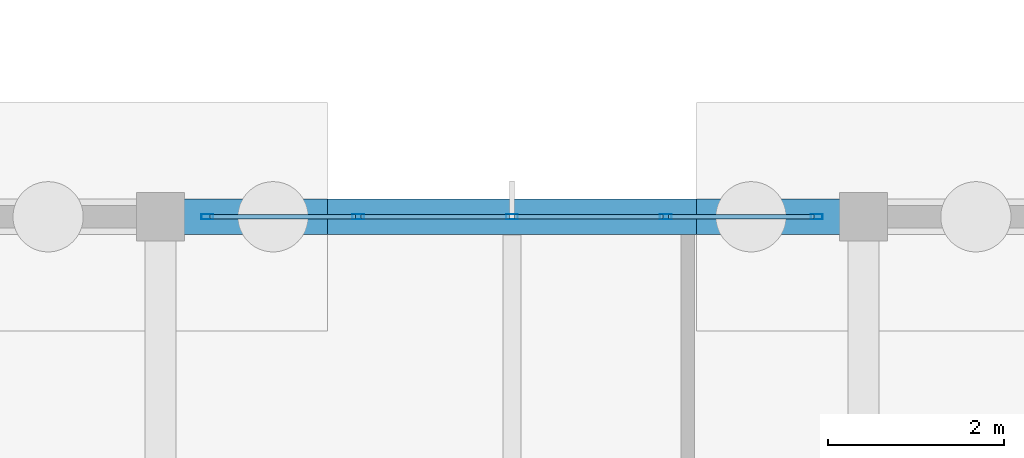
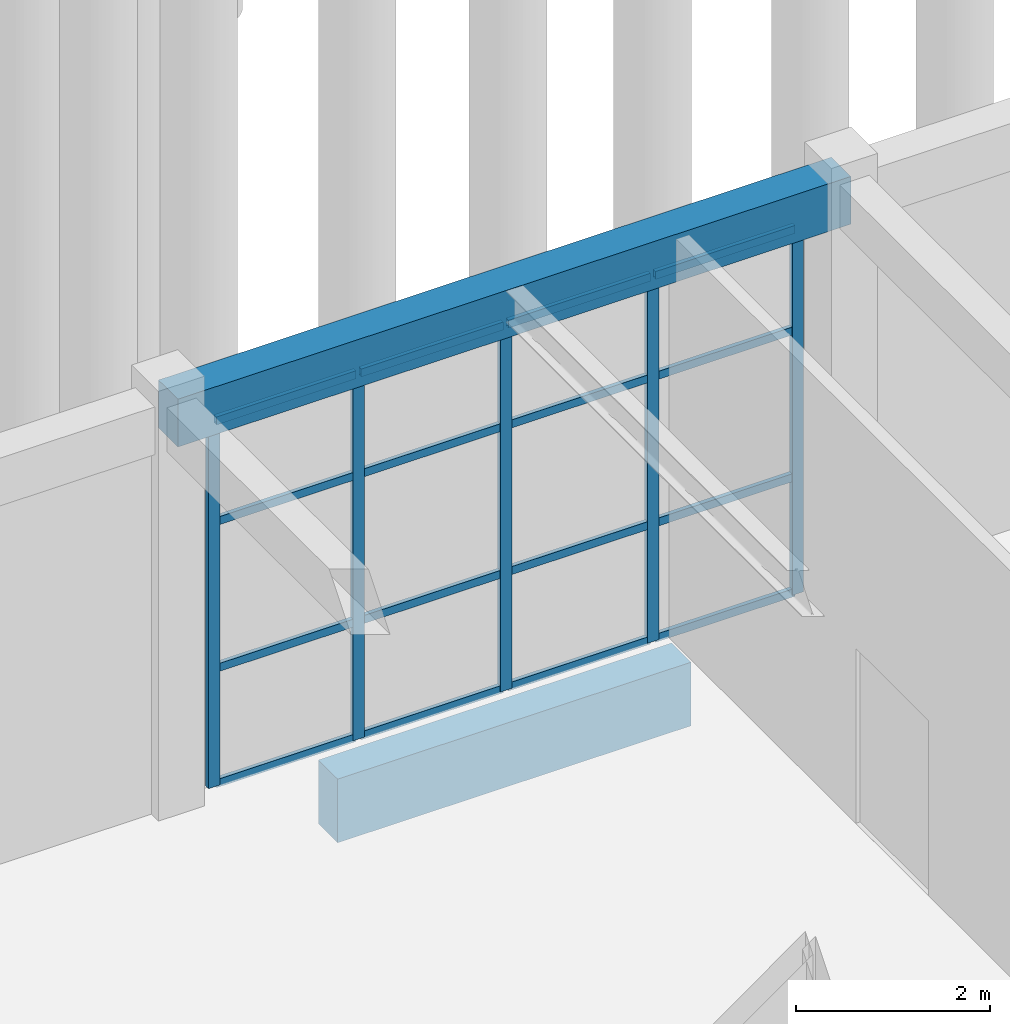
# One storey, part 23 of 90: 21 members, 2 beams, 1 element without a shape of its own.
"""IFC4 building model written with IfcOpenShell, lengths in metres."""

from ifc_helpers import new_model, si_unit, direction, frame, origin, origin_2d, place, context, subcontext, project, spatial, rectangle, hollow_rectangle, extrude, material, layer, layer_set, material_profile, profile_set, type_object, element, aggregate, save


model = new_model("IFC4")

# Units and contexts
model_context = context("Model", 3, precision=1e-05, world=origin(), true_north=direction((0.0, 1.0)))
body_context = subcontext(model_context, "Body", "Model", "MODEL_VIEW")
ifc_project = project(units=[si_unit("LENGTHUNIT", "METRE"), si_unit("AREAUNIT", "SQUARE_METRE"), si_unit("VOLUMEUNIT", "CUBIC_METRE"), si_unit("PLANEANGLEUNIT", "RADIAN"), si_unit("MASSUNIT", "GRAM", prefix="KILO")], contexts=[model_context])

# Site, building, storey
site_placement = place(None, origin())
site = spatial("IfcSite", under=ifc_project, at=site_placement, CompositionType="ELEMENT")
building_placement = place(site_placement, origin())
building = spatial("IfcBuilding", under=site, at=building_placement, Name="Canggui Botanical Conservatory", CompositionType="ELEMENT")
storey_placement = place(building_placement, origin())
storey = spatial("IfcBuildingStorey", under=building, at=storey_placement, Name="L01", CompositionType="ELEMENT", Elevation=0.0)

# Beams
ifc_material_1 = material(Name="Concrete C35", Category="concrete")
ifc_material_profile_1 = material_profile(ifc_material_1, rectangle(XDim=0.39990234375, YDim=0.800048828125, at=origin_2d()), Name="RB 400x800")
ifc_profile_set_1 = profile_set([ifc_material_profile_1], Name="Concrete C35")
beam_type_1 = type_object("IfcBeamType", Name="BM-JCL01", PredefinedType="USERDEFINED", material=ifc_profile_set_1)
beam_1_placement = place(storey_placement, frame((51.89990234375, 34.0, -0.679931640625), z_axis=(1.0, 0.0, 0.0), x_axis=(0.0, 1.0, 0.0)))
element("IfcBeam", 1, at=beam_1_placement, inside=storey, type_object=beam_type_1, Name="Foundation Grade Tie Beam JCL-025", ObjectType="GRADE BEAM", PredefinedType="USERDEFINED", context=body_context, shape_type="SweptSolid", body=[
    extrude(rectangle(XDim=0.39990234375, YDim=0.800048828125, at=origin_2d()), origin(), (0.0, 0.0, 1.0), 4.2001953125),
])
ifc_material_profile_2 = material_profile(ifc_material_1, rectangle(XDim=0.39990234375, YDim=0.60009765625, at=origin_2d()), Name="RB 400x600")
ifc_profile_set_2 = profile_set([ifc_material_profile_2], Name="Concrete C35")
beam_type_2 = type_object("IfcBeamType", Name="BM-KL13", PredefinedType="BEAM", material=ifc_profile_set_2)
beam_2_placement = place(storey_placement, frame((50.0, 34.0, 4.860107421875), z_axis=(1.0, 0.0, 0.0), x_axis=(0.0, 1.0, 0.0)))
element("IfcBeam", 2, at=beam_2_placement, inside=storey, type_object=beam_type_2, Name="Visitor Girder L01 Y34-5", PredefinedType="BEAM", context=body_context, shape_type="SweptSolid", body=[
    extrude(rectangle(XDim=0.39990234375, YDim=0.60009765625, at=origin_2d()), origin(), (0.0, 0.0, 1.0), 8.0),
])

# Curtain wall, members
ifc_material_2 = material(Name="Thermally Broken Aluminium", Category="aluminium")
ifc_layer = layer(ifc_material_2, 0.135009765625, Name="Thermally Broken Aluminium", Category="aluminium")
ifc_layer_set = layer_set([ifc_layer], Name="Thermally Broken Aluminium")
curtain_wall_type = type_object("IfcCurtainWallType", Name="CW-STICK-A", PredefinedType="USERDEFINED", material=ifc_layer_set)
curtain_wall_placement = place(storey_placement, origin())
curtain_wall = element("IfcCurtainWall", 3, at=curtain_wall_placement, inside=storey, type_object=curtain_wall_type, Name="Facade Curtain Wall CW-VIS-L01-16", ObjectType="STICK GLAZED WALL", PredefinedType="USERDEFINED")
ifc_material_profile_3 = material_profile(ifc_material_2, hollow_rectangle(XDim=0.06005859375, YDim=0.135009765625, WallThickness=0.00341796875, at=origin_2d()), Name="CWM 60x135x3.5")
ifc_profile_set_3 = profile_set([ifc_material_profile_3], Name="Thermally Broken Aluminium")
member_type_1 = type_object("IfcMemberType", Name="CWM-04", PredefinedType="MULLION", material=ifc_profile_set_3)
member_1_placement = place(storey_placement, frame((50.530029296875, 34.0, 0.0), z_axis=(0.0, 0.0, 1.0), x_axis=(0.0, 1.0, 0.0)))
member_1 = element("IfcMember", 4, at=member_1_placement, type_object=member_type_1, Name="CW-04 mullion 1", PredefinedType="MULLION", context=body_context, shape_type="SweptSolid", body=[
    extrude(hollow_rectangle(XDim=0.06005859375, YDim=0.135009765625, WallThickness=0.00341796875, at=origin_2d()), origin(), (0.0, 0.0, 1.0), 4.610107421875),
])
member_2_placement = place(storey_placement, frame((52.25, 34.0, 0.0), z_axis=(0.0, 0.0, 1.0), x_axis=(0.0, 1.0, 0.0)))
member_2 = element("IfcMember", 5, at=member_2_placement, type_object=member_type_1, Name="CW-04 mullion 2", PredefinedType="MULLION", context=body_context, shape_type="SweptSolid", body=[
    extrude(hollow_rectangle(XDim=0.06005859375, YDim=0.135009765625, WallThickness=0.00341796875, at=origin_2d()), origin(), (0.0, 0.0, 1.0), 4.610107421875),
])
member_3_placement = place(storey_placement, frame((54.0, 34.0, 0.0), z_axis=(0.0, 0.0, 1.0), x_axis=(0.0, 1.0, 0.0)))
member_3 = element("IfcMember", 6, at=member_3_placement, type_object=member_type_1, Name="CW-04 mullion 3", PredefinedType="MULLION", context=body_context, shape_type="SweptSolid", body=[
    extrude(hollow_rectangle(XDim=0.06005859375, YDim=0.135009765625, WallThickness=0.00341796875, at=origin_2d()), origin(), (0.0, 0.0, 1.0), 4.610107421875),
])
member_4_placement = place(storey_placement, frame((55.75, 34.0, 0.0), z_axis=(0.0, 0.0, 1.0), x_axis=(0.0, 1.0, 0.0)))
member_4 = element("IfcMember", 7, at=member_4_placement, type_object=member_type_1, Name="CW-04 mullion 4", PredefinedType="MULLION", context=body_context, shape_type="SweptSolid", body=[
    extrude(hollow_rectangle(XDim=0.06005859375, YDim=0.135009765625, WallThickness=0.00341796875, at=origin_2d()), origin(), (0.0, 0.0, 1.0), 4.610107421875),
])
member_5_placement = place(storey_placement, frame((57.469970703125, 34.0, 0.0), z_axis=(0.0, 0.0, 1.0), x_axis=(0.0, 1.0, 0.0)))
member_5 = element("IfcMember", 8, at=member_5_placement, type_object=member_type_1, Name="CW-04 mullion 5", PredefinedType="MULLION", context=body_context, shape_type="SweptSolid", body=[
    extrude(hollow_rectangle(XDim=0.06005859375, YDim=0.135009765625, WallThickness=0.00341796875, at=origin_2d()), origin(), (0.0, 0.0, 1.0), 4.610107421875),
])
ifc_material_profile_4 = material_profile(ifc_material_2, hollow_rectangle(XDim=0.050048828125, YDim=0.10009765625, WallThickness=0.0029296875, at=origin_2d()), Name="CWT 50x100x3")
ifc_profile_set_4 = profile_set([ifc_material_profile_4], Name="Thermally Broken Aluminium")
member_type_2 = type_object("IfcMemberType", Name="CWT-04", PredefinedType="USERDEFINED", material=ifc_profile_set_4)
member_6_placement = place(storey_placement, frame((50.56005859375, 34.0, 0.02490234375), z_axis=(1.0, 0.0, 0.0), x_axis=(0.0, 1.0, 0.0)))
member_6 = element("IfcMember", 9, at=member_6_placement, type_object=member_type_2, Name="CW-04 transom 1.1", ObjectType="TRANSOM", PredefinedType="USERDEFINED", context=body_context, shape_type="SweptSolid", body=[
    extrude(hollow_rectangle(XDim=0.050048828125, YDim=0.10009765625, WallThickness=0.0029296875, at=origin_2d()), origin(), (0.0, 0.0, 1.0), 1.659912109375),
])
member_7_placement = place(storey_placement, frame((50.56005859375, 34.0, 1.47509765625), z_axis=(1.0, 0.0, 0.0), x_axis=(0.0, 1.0, 0.0)))
member_7 = element("IfcMember", 10, at=member_7_placement, type_object=member_type_2, Name="CW-04 transom 1.2", ObjectType="TRANSOM", PredefinedType="USERDEFINED", context=body_context, shape_type="SweptSolid", body=[
    extrude(hollow_rectangle(XDim=0.050048828125, YDim=0.10009765625, WallThickness=0.0029296875, at=origin_2d()), origin(), (0.0, 0.0, 1.0), 1.659912109375),
])
member_8_placement = place(storey_placement, frame((50.56005859375, 34.0, 3.319091796875), z_axis=(1.0, 0.0, 0.0), x_axis=(0.0, 1.0, 0.0)))
member_8 = element("IfcMember", 11, at=member_8_placement, type_object=member_type_2, Name="CW-04 transom 1.3", ObjectType="TRANSOM", PredefinedType="USERDEFINED", context=body_context, shape_type="SweptSolid", body=[
    extrude(hollow_rectangle(XDim=0.050048828125, YDim=0.10009765625, WallThickness=0.0029296875, at=origin_2d()), origin(), (0.0, 0.0, 1.0), 1.659912109375),
])
member_9_placement = place(storey_placement, frame((50.56005859375, 34.0, 4.5849609375), z_axis=(1.0, 0.0, 0.0), x_axis=(0.0, 1.0, 0.0)))
member_9 = element("IfcMember", 12, at=member_9_placement, type_object=member_type_2, Name="CW-04 transom 1.4", ObjectType="TRANSOM", PredefinedType="USERDEFINED", context=body_context, shape_type="SweptSolid", body=[
    extrude(hollow_rectangle(XDim=0.050048828125, YDim=0.10009765625, WallThickness=0.0029296875, at=origin_2d()), origin(), (0.0, 0.0, 1.0), 1.659912109375),
])
member_10_placement = place(storey_placement, frame((52.280029296875, 34.0, 0.02490234375), z_axis=(1.0, 0.0, 0.0), x_axis=(0.0, 1.0, 0.0)))
member_10 = element("IfcMember", 13, at=member_10_placement, type_object=member_type_2, Name="CW-04 transom 2.1", ObjectType="TRANSOM", PredefinedType="USERDEFINED", context=body_context, shape_type="SweptSolid", body=[
    extrude(hollow_rectangle(XDim=0.050048828125, YDim=0.10009765625, WallThickness=0.0029296875, at=origin_2d()), origin(), (0.0, 0.0, 1.0), 1.68994140625),
])
member_11_placement = place(storey_placement, frame((52.280029296875, 34.0, 1.47509765625), z_axis=(1.0, 0.0, 0.0), x_axis=(0.0, 1.0, 0.0)))
member_11 = element("IfcMember", 14, at=member_11_placement, type_object=member_type_2, Name="CW-04 transom 2.2", ObjectType="TRANSOM", PredefinedType="USERDEFINED", context=body_context, shape_type="SweptSolid", body=[
    extrude(hollow_rectangle(XDim=0.050048828125, YDim=0.10009765625, WallThickness=0.0029296875, at=origin_2d()), origin(), (0.0, 0.0, 1.0), 1.68994140625),
])
member_12_placement = place(storey_placement, frame((52.280029296875, 34.0, 3.319091796875), z_axis=(1.0, 0.0, 0.0), x_axis=(0.0, 1.0, 0.0)))
member_12 = element("IfcMember", 15, at=member_12_placement, type_object=member_type_2, Name="CW-04 transom 2.3", ObjectType="TRANSOM", PredefinedType="USERDEFINED", context=body_context, shape_type="SweptSolid", body=[
    extrude(hollow_rectangle(XDim=0.050048828125, YDim=0.10009765625, WallThickness=0.0029296875, at=origin_2d()), origin(), (0.0, 0.0, 1.0), 1.68994140625),
])
member_13_placement = place(storey_placement, frame((52.280029296875, 34.0, 4.5849609375), z_axis=(1.0, 0.0, 0.0), x_axis=(0.0, 1.0, 0.0)))
member_13 = element("IfcMember", 16, at=member_13_placement, type_object=member_type_2, Name="CW-04 transom 2.4", ObjectType="TRANSOM", PredefinedType="USERDEFINED", context=body_context, shape_type="SweptSolid", body=[
    extrude(hollow_rectangle(XDim=0.050048828125, YDim=0.10009765625, WallThickness=0.0029296875, at=origin_2d()), origin(), (0.0, 0.0, 1.0), 1.68994140625),
])
member_14_placement = place(storey_placement, frame((54.030029296875, 34.0, 0.02490234375), z_axis=(1.0, 0.0, 0.0), x_axis=(0.0, 1.0, 0.0)))
member_14 = element("IfcMember", 17, at=member_14_placement, type_object=member_type_2, Name="CW-04 transom 3.1", ObjectType="TRANSOM", PredefinedType="USERDEFINED", context=body_context, shape_type="SweptSolid", body=[
    extrude(hollow_rectangle(XDim=0.050048828125, YDim=0.10009765625, WallThickness=0.0029296875, at=origin_2d()), origin(), (0.0, 0.0, 1.0), 1.68994140625),
])
member_15_placement = place(storey_placement, frame((54.030029296875, 34.0, 1.47509765625), z_axis=(1.0, 0.0, 0.0), x_axis=(0.0, 1.0, 0.0)))
member_15 = element("IfcMember", 18, at=member_15_placement, type_object=member_type_2, Name="CW-04 transom 3.2", ObjectType="TRANSOM", PredefinedType="USERDEFINED", context=body_context, shape_type="SweptSolid", body=[
    extrude(hollow_rectangle(XDim=0.050048828125, YDim=0.10009765625, WallThickness=0.0029296875, at=origin_2d()), origin(), (0.0, 0.0, 1.0), 1.68994140625),
])
member_16_placement = place(storey_placement, frame((54.030029296875, 34.0, 3.319091796875), z_axis=(1.0, 0.0, 0.0), x_axis=(0.0, 1.0, 0.0)))
member_16 = element("IfcMember", 19, at=member_16_placement, type_object=member_type_2, Name="CW-04 transom 3.3", ObjectType="TRANSOM", PredefinedType="USERDEFINED", context=body_context, shape_type="SweptSolid", body=[
    extrude(hollow_rectangle(XDim=0.050048828125, YDim=0.10009765625, WallThickness=0.0029296875, at=origin_2d()), origin(), (0.0, 0.0, 1.0), 1.68994140625),
])
member_17_placement = place(storey_placement, frame((54.030029296875, 34.0, 4.5849609375), z_axis=(1.0, 0.0, 0.0), x_axis=(0.0, 1.0, 0.0)))
member_17 = element("IfcMember", 20, at=member_17_placement, type_object=member_type_2, Name="CW-04 transom 3.4", ObjectType="TRANSOM", PredefinedType="USERDEFINED", context=body_context, shape_type="SweptSolid", body=[
    extrude(hollow_rectangle(XDim=0.050048828125, YDim=0.10009765625, WallThickness=0.0029296875, at=origin_2d()), origin(), (0.0, 0.0, 1.0), 1.68994140625),
])
member_18_placement = place(storey_placement, frame((55.780029296875, 34.0, 0.02490234375), z_axis=(1.0, 0.0, 0.0), x_axis=(0.0, 1.0, 0.0)))
member_18 = element("IfcMember", 21, at=member_18_placement, type_object=member_type_2, Name="CW-04 transom 4.1", ObjectType="TRANSOM", PredefinedType="USERDEFINED", context=body_context, shape_type="SweptSolid", body=[
    extrude(hollow_rectangle(XDim=0.050048828125, YDim=0.10009765625, WallThickness=0.0029296875, at=origin_2d()), origin(), (0.0, 0.0, 1.0), 1.659912109375),
])
member_19_placement = place(storey_placement, frame((55.780029296875, 34.0, 1.47509765625), z_axis=(1.0, 0.0, 0.0), x_axis=(0.0, 1.0, 0.0)))
member_19 = element("IfcMember", 22, at=member_19_placement, type_object=member_type_2, Name="CW-04 transom 4.2", ObjectType="TRANSOM", PredefinedType="USERDEFINED", context=body_context, shape_type="SweptSolid", body=[
    extrude(hollow_rectangle(XDim=0.050048828125, YDim=0.10009765625, WallThickness=0.0029296875, at=origin_2d()), origin(), (0.0, 0.0, 1.0), 1.659912109375),
])
member_20_placement = place(storey_placement, frame((55.780029296875, 34.0, 3.319091796875), z_axis=(1.0, 0.0, 0.0), x_axis=(0.0, 1.0, 0.0)))
member_20 = element("IfcMember", 23, at=member_20_placement, type_object=member_type_2, Name="CW-04 transom 4.3", ObjectType="TRANSOM", PredefinedType="USERDEFINED", context=body_context, shape_type="SweptSolid", body=[
    extrude(hollow_rectangle(XDim=0.050048828125, YDim=0.10009765625, WallThickness=0.0029296875, at=origin_2d()), origin(), (0.0, 0.0, 1.0), 1.659912109375),
])
member_21_placement = place(storey_placement, frame((55.780029296875, 34.0, 4.5849609375), z_axis=(1.0, 0.0, 0.0), x_axis=(0.0, 1.0, 0.0)))
member_21 = element("IfcMember", 24, at=member_21_placement, type_object=member_type_2, Name="CW-04 transom 4.4", ObjectType="TRANSOM", PredefinedType="USERDEFINED", context=body_context, shape_type="SweptSolid", body=[
    extrude(hollow_rectangle(XDim=0.050048828125, YDim=0.10009765625, WallThickness=0.0029296875, at=origin_2d()), origin(), (0.0, 0.0, 1.0), 1.659912109375),
])
aggregate(curtain_wall, [member_1, member_2, member_3, member_4, member_5, member_6, member_7, member_8, member_9, member_10, member_11, member_12, member_13, member_14, member_15, member_16, member_17, member_18, member_19, member_20, member_21])

save(model, "model.ifc")
